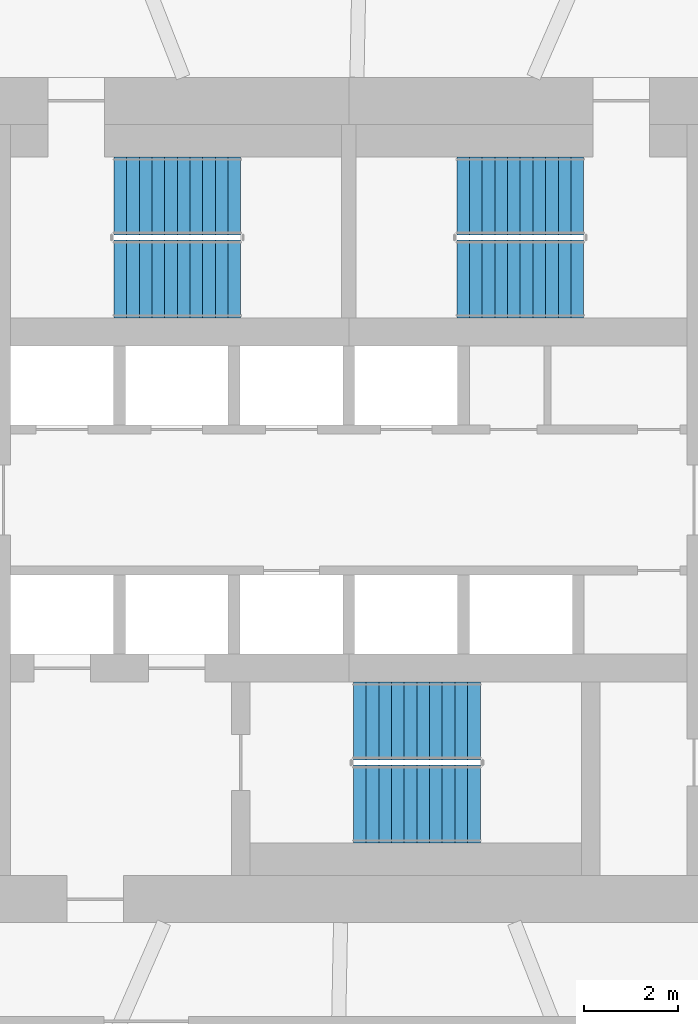
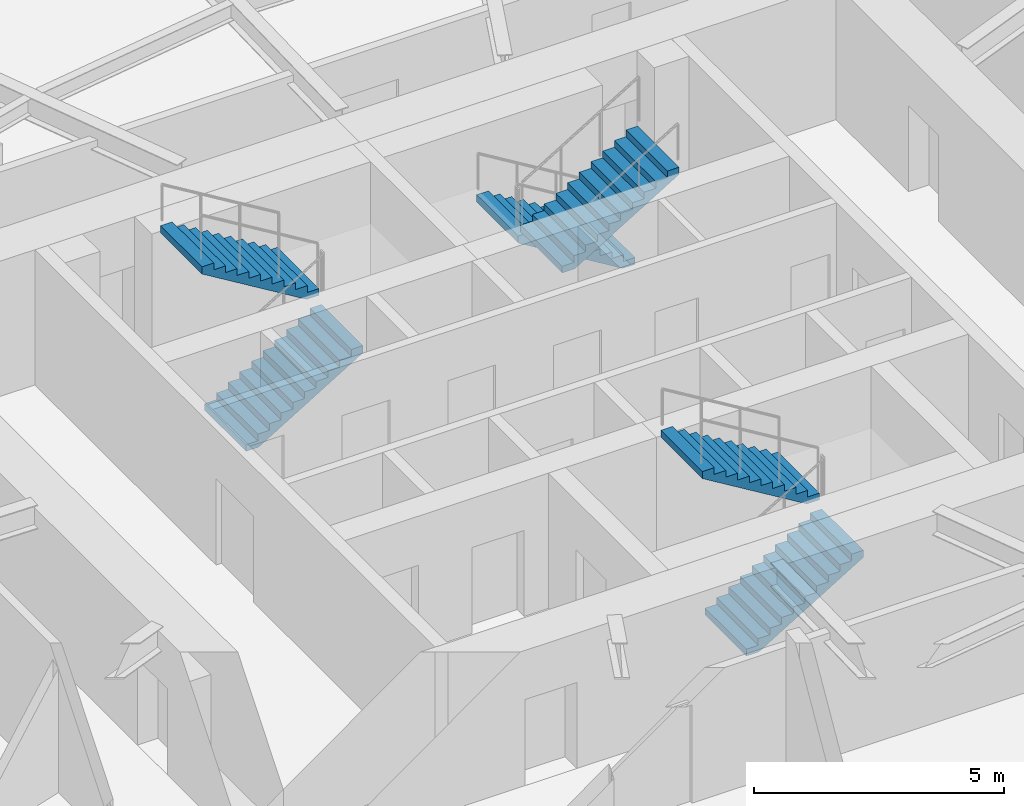
# One storey, part 11 of 15: 6 stair flights, 3 elements without a shape of their own.
"""IFC4 building model written with IfcOpenShell, lengths in metres."""

from ifc_helpers import new_model, si_unit, direction, frame, origin, place, context, subcontext, project, spatial, polyline, outline, extrude, material, type_object, element, aggregate, save


model = new_model("IFC4")

# Units and contexts
model_context = context("Model", 3, precision=1e-05, world=origin(), true_north=direction((0.0, 1.0)))
body_context = subcontext(model_context, "Body", "Model", "MODEL_VIEW")
ifc_project = project(units=[si_unit("LENGTHUNIT", "METRE"), si_unit("AREAUNIT", "SQUARE_METRE"), si_unit("VOLUMEUNIT", "CUBIC_METRE"), si_unit("PLANEANGLEUNIT", "RADIAN"), si_unit("MASSUNIT", "GRAM", prefix="KILO")], contexts=[model_context])

# Site, building, storey
site_placement = place(None, origin())
site = spatial("IfcSite", under=ifc_project, at=site_placement, CompositionType="ELEMENT")
building_placement = place(site_placement, origin())
building = spatial("IfcBuilding", under=site, at=building_placement, Name="Vermilion Reach Broadcast Tower", CompositionType="ELEMENT")
storey_placement = place(building_placement, frame((0.0, 0.0, 154.199951171875)))
storey = spatial("IfcBuildingStorey", under=building, at=storey_placement, Name="L36", CompositionType="ELEMENT", Elevation=154.199951171875)

# Stair, stair flights
ifc_material_1 = material(Name="Concrete C40", Category="concrete")
stair_type = type_object("IfcStairType", Name="Exit stair RC 22 risers 164 mm", PredefinedType="HALF_TURN_STAIR", material=ifc_material_1)
placement = place(storey_placement, origin())
stair_1 = element("IfcStair", 1, at=placement, inside=storey, type_object=stair_type, Name="L36 Exit stair ST1", PredefinedType="HALF_TURN_STAIR")
ifc_material_2 = material(Name="Concrete C40", Category="concrete")
stair_flight_type = type_object("IfcStairFlightType", Name="Exit stair flight RC 11 risers", PredefinedType="STRAIGHT", material=ifc_material_2)
stair_flight_1_placement = place(storey_placement, frame((-11.0, 4.7099609375, 0.0), z_axis=(0.0, 0.0, 1.0), x_axis=(1.0, 0.0, 0.0)))
stair_flight_1 = element("IfcStairFlight", 2, at=stair_flight_1_placement, type_object=stair_flight_type, Name="ST1 flight 1", NumberOfRisers=11, NumberOfTreads=10, PredefinedType="STRAIGHT", RiserHeight=0.163636364, TreadLength=0.27, context=body_context, shape_type="SweptSolid", body=[
    extrude(outline(polyline([(0.0, 0.0), (0.0, 0.16357421875), (0.27001953125, 0.16357421875), (0.27001953125, 0.327392578125), (0.5400390625, 0.327392578125), (0.5400390625, 0.490966796875), (0.81005859375, 0.490966796875), (0.81005859375, 0.654541015625), (1.080078125, 0.654541015625), (1.080078125, 0.818115234375), (1.35009765625, 0.818115234375), (1.35009765625, 0.98193359375), (1.6201171875, 0.98193359375), (1.6201171875, 1.1455078125), (1.889892578125, 1.1455078125), (1.889892578125, 1.30908203125), (2.159912109375, 1.30908203125), (2.159912109375, 1.47265625), (2.429931640625, 1.47265625), (2.429931640625, 1.636474609375), (2.699951171875, 1.636474609375), (2.699951171875, 1.800048828125), (2.699951171875, 1.461181640625), (0.289306640625, 0.0), (0.0, 0.0)])), frame((0.0, 0.830078125, 0.0), z_axis=(0.0, -1.0, 0.0), x_axis=(1.0, 0.0, 0.0)), (0.0, 0.0, 1.0), 1.659912109375),
])
stair_flight_2_placement = place(storey_placement, frame((-8.300048828125, 6.469970703125, 1.800048828125), z_axis=(0.0, 0.0, 1.0), x_axis=(-1.0, 0.0, 0.0)))
stair_flight_2 = element("IfcStairFlight", 3, at=stair_flight_2_placement, type_object=stair_flight_type, Name="ST1 flight 2", NumberOfRisers=11, NumberOfTreads=10, PredefinedType="STRAIGHT", RiserHeight=0.163636364, TreadLength=0.27, context=body_context, shape_type="SweptSolid", body=[
    extrude(outline(polyline([(0.0, 0.0), (0.0, 0.16357421875), (0.27001953125, 0.16357421875), (0.27001953125, 0.327392578125), (0.5400390625, 0.327392578125), (0.5400390625, 0.490966796875), (0.81005859375, 0.490966796875), (0.81005859375, 0.654541015625), (1.080078125, 0.654541015625), (1.080078125, 0.818115234375), (1.35009765625, 0.818115234375), (1.35009765625, 0.98193359375), (1.6201171875, 0.98193359375), (1.6201171875, 1.1455078125), (1.889892578125, 1.1455078125), (1.889892578125, 1.30908203125), (2.159912109375, 1.30908203125), (2.159912109375, 1.47265625), (2.429931640625, 1.47265625), (2.429931640625, 1.636474609375), (2.699951171875, 1.636474609375), (2.699951171875, 1.800048828125), (2.699951171875, 1.461181640625), (0.289306640625, 0.0), (0.0, 0.0)])), frame((0.0, 0.830078125, 0.0), z_axis=(0.0, -1.0, 0.0), x_axis=(1.0, 0.0, 0.0)), (0.0, 0.0, 1.0), 1.659912109375),
])
aggregate(stair_1, [stair_flight_1, stair_flight_2])

stair_2 = element("IfcStair", 4, at=placement, inside=storey, type_object=stair_type, Name="L36 Exit stair ST2", PredefinedType="HALF_TURN_STAIR")
stair_flight_3_placement = place(storey_placement, frame((-1.0, 6.469970703125, 0.0), z_axis=(0.0, 0.0, 1.0), x_axis=(-1.0, 0.0, 0.0)))
stair_flight_3 = element("IfcStairFlight", 5, at=stair_flight_3_placement, type_object=stair_flight_type, Name="ST2 flight 1", NumberOfRisers=11, NumberOfTreads=10, PredefinedType="STRAIGHT", RiserHeight=0.163636364, TreadLength=0.27, context=body_context, shape_type="SweptSolid", body=[
    extrude(outline(polyline([(0.0, 0.0), (0.0, 0.16357421875), (0.27001953125, 0.16357421875), (0.27001953125, 0.327392578125), (0.5400390625, 0.327392578125), (0.5400390625, 0.490966796875), (0.81005859375, 0.490966796875), (0.81005859375, 0.654541015625), (1.080078125, 0.654541015625), (1.080078125, 0.818115234375), (1.35009765625, 0.818115234375), (1.35009765625, 0.98193359375), (1.6201171875, 0.98193359375), (1.6201171875, 1.1455078125), (1.889892578125, 1.1455078125), (1.889892578125, 1.30908203125), (2.159912109375, 1.30908203125), (2.159912109375, 1.47265625), (2.429931640625, 1.47265625), (2.429931640625, 1.636474609375), (2.699951171875, 1.636474609375), (2.699951171875, 1.800048828125), (2.699951171875, 1.461181640625), (0.289306640625, 0.0), (0.0, 0.0)])), frame((0.0, 0.830078125, 0.0), z_axis=(0.0, -1.0, 0.0), x_axis=(1.0, 0.0, 0.0)), (0.0, 0.0, 1.0), 1.659912109375),
])
stair_flight_4_placement = place(storey_placement, frame((-3.699951171875, 4.7099609375, 1.800048828125), z_axis=(0.0, 0.0, 1.0), x_axis=(1.0, 0.0, 0.0)))
stair_flight_4 = element("IfcStairFlight", 6, at=stair_flight_4_placement, type_object=stair_flight_type, Name="ST2 flight 2", NumberOfRisers=11, NumberOfTreads=10, PredefinedType="STRAIGHT", RiserHeight=0.163636364, TreadLength=0.27, context=body_context, shape_type="SweptSolid", body=[
    extrude(outline(polyline([(0.0, 0.0), (0.0, 0.16357421875), (0.27001953125, 0.16357421875), (0.27001953125, 0.327392578125), (0.5400390625, 0.327392578125), (0.5400390625, 0.490966796875), (0.81005859375, 0.490966796875), (0.81005859375, 0.654541015625), (1.080078125, 0.654541015625), (1.080078125, 0.818115234375), (1.35009765625, 0.818115234375), (1.35009765625, 0.98193359375), (1.6201171875, 0.98193359375), (1.6201171875, 1.1455078125), (1.889892578125, 1.1455078125), (1.889892578125, 1.30908203125), (2.159912109375, 1.30908203125), (2.159912109375, 1.47265625), (2.429931640625, 1.47265625), (2.429931640625, 1.636474609375), (2.699951171875, 1.636474609375), (2.699951171875, 1.800048828125), (2.699951171875, 1.461181640625), (0.289306640625, 0.0), (0.0, 0.0)])), frame((0.0, 0.830078125, 0.0), z_axis=(0.0, -1.0, 0.0), x_axis=(1.0, 0.0, 0.0)), (0.0, 0.0, 1.0), 1.659912109375),
])
aggregate(stair_2, [stair_flight_3, stair_flight_4])

stair_3 = element("IfcStair", 7, at=placement, inside=storey, type_object=stair_type, Name="L36 Exit stair ST3", PredefinedType="HALF_TURN_STAIR")
stair_flight_5_placement = place(storey_placement, frame((-5.89990234375, -6.469970703125, 0.0), z_axis=(0.0, 0.0, 1.0), x_axis=(1.0, 0.0, 0.0)))
stair_flight_5 = element("IfcStairFlight", 8, at=stair_flight_5_placement, type_object=stair_flight_type, Name="ST3 flight 1", NumberOfRisers=11, NumberOfTreads=10, PredefinedType="STRAIGHT", RiserHeight=0.163636364, TreadLength=0.27, context=body_context, shape_type="SweptSolid", body=[
    extrude(outline(polyline([(0.0, 0.0), (0.0, 0.16357421875), (0.27001953125, 0.16357421875), (0.27001953125, 0.327392578125), (0.5400390625, 0.327392578125), (0.5400390625, 0.490966796875), (0.81005859375, 0.490966796875), (0.81005859375, 0.654541015625), (1.080078125, 0.654541015625), (1.080078125, 0.818115234375), (1.35009765625, 0.818115234375), (1.35009765625, 0.98193359375), (1.6201171875, 0.98193359375), (1.6201171875, 1.1455078125), (1.889892578125, 1.1455078125), (1.889892578125, 1.30908203125), (2.159912109375, 1.30908203125), (2.159912109375, 1.47265625), (2.429931640625, 1.47265625), (2.429931640625, 1.636474609375), (2.699951171875, 1.636474609375), (2.699951171875, 1.800048828125), (2.699951171875, 1.461181640625), (0.289306640625, 0.0), (0.0, 0.0)])), frame((0.0, 0.830078125, 0.0), z_axis=(0.0, -1.0, 0.0), x_axis=(1.0, 0.0, 0.0)), (0.0, 0.0, 1.0), 1.659912109375),
])
stair_flight_6_placement = place(storey_placement, frame((-3.199951171875, -4.7099609375, 1.800048828125), z_axis=(0.0, 0.0, 1.0), x_axis=(-1.0, 0.0, 0.0)))
stair_flight_6 = element("IfcStairFlight", 9, at=stair_flight_6_placement, type_object=stair_flight_type, Name="ST3 flight 2", NumberOfRisers=11, NumberOfTreads=10, PredefinedType="STRAIGHT", RiserHeight=0.163636364, TreadLength=0.27, context=body_context, shape_type="SweptSolid", body=[
    extrude(outline(polyline([(0.0, 0.0), (0.0, 0.16357421875), (0.27001953125, 0.16357421875), (0.27001953125, 0.327392578125), (0.5400390625, 0.327392578125), (0.5400390625, 0.490966796875), (0.81005859375, 0.490966796875), (0.81005859375, 0.654541015625), (1.080078125, 0.654541015625), (1.080078125, 0.818115234375), (1.35009765625, 0.818115234375), (1.35009765625, 0.98193359375), (1.6201171875, 0.98193359375), (1.6201171875, 1.1455078125), (1.889892578125, 1.1455078125), (1.889892578125, 1.30908203125), (2.159912109375, 1.30908203125), (2.159912109375, 1.47265625), (2.429931640625, 1.47265625), (2.429931640625, 1.636474609375), (2.699951171875, 1.636474609375), (2.699951171875, 1.800048828125), (2.699951171875, 1.461181640625), (0.289306640625, 0.0), (0.0, 0.0)])), frame((0.0, 0.830078125, 0.0), z_axis=(0.0, -1.0, 0.0), x_axis=(1.0, 0.0, 0.0)), (0.0, 0.0, 1.0), 1.659912109375),
])
aggregate(stair_3, [stair_flight_5, stair_flight_6])

save(model, "model.ifc")
